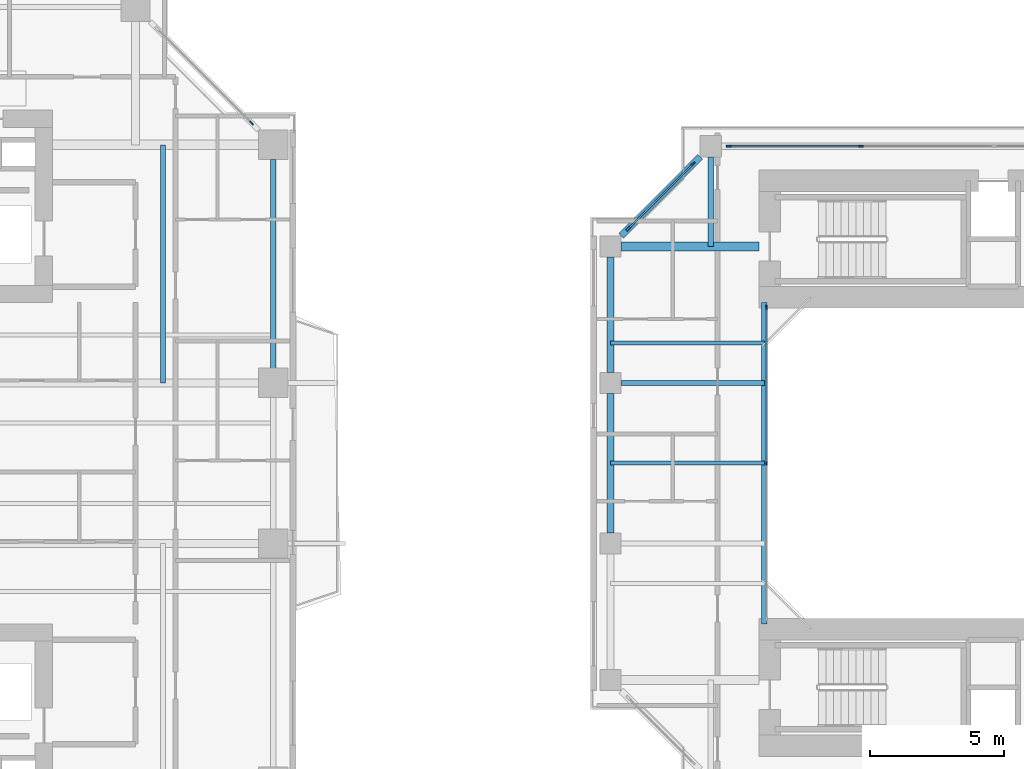
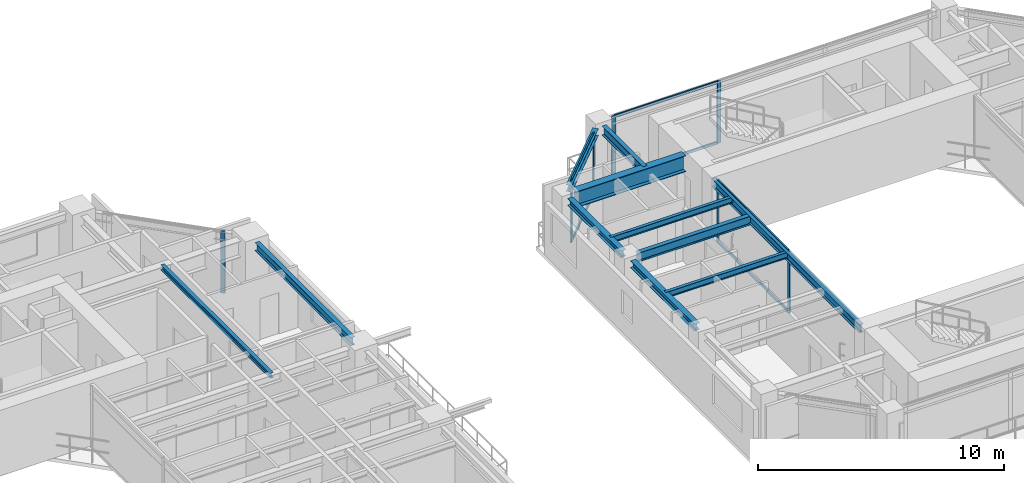
# One storey, part 8 of 23: 13 members, 11 beams, 4 elements without a shape of their own.
"""IFC4 building model written with IfcOpenShell, lengths in metres."""

from ifc_helpers import new_model, si_unit, direction, frame, origin, origin_2d, place, context, subcontext, project, spatial, rectangle, i_section, extrude, source, transform, mapped, material, layer, layer_set, material_profile, profile_set, type_object, element, aggregate, save


model = new_model("IFC4")

# Units and contexts
model_context = context("Model", 3, precision=1e-05, world=origin(), true_north=direction((0.0, 1.0)))
body_context = subcontext(model_context, "Body", "Model", "MODEL_VIEW")
ifc_project = project(units=[si_unit("LENGTHUNIT", "METRE"), si_unit("AREAUNIT", "SQUARE_METRE"), si_unit("VOLUMEUNIT", "CUBIC_METRE"), si_unit("PLANEANGLEUNIT", "RADIAN"), si_unit("MASSUNIT", "GRAM", prefix="KILO"), si_unit("THERMODYNAMICTEMPERATUREUNIT", "KELVIN"), si_unit("POWERUNIT", "WATT")], contexts=[model_context])

# Site, building, storey
site_placement = place(None, origin())
site = spatial("IfcSite", under=ifc_project, at=site_placement, CompositionType="ELEMENT")
building_placement = place(site_placement, origin())
building = spatial("IfcBuilding", under=site, at=building_placement, Name="Qiaomeng Ring Towers", CompositionType="ELEMENT")
storey_placement = place(building_placement, frame((0.0, 0.0, 100.25)))
storey = spatial("IfcBuildingStorey", under=building, at=storey_placement, Name="L28", CompositionType="ELEMENT", Elevation=100.25)

# Beams
ifc_material_1 = material(Name="Steel Q355B", Category="steel")
ifc_material_profile_1 = material_profile(ifc_material_1, i_section(OverallWidth=0.199951171875, OverallDepth=0.39990234375, WebThickness=0.008056640625, FlangeThickness=0.012939453125, FilletRadius=0.01611328125, at=origin_2d()), Name="HN 400x200x8x13")
ifc_profile_set_1 = profile_set([ifc_material_profile_1], Name="Steel Q355B")
beam_type_1 = type_object("IfcBeamType", Name="STR-BM-HN400", PredefinedType="SPANDREL", material=ifc_profile_set_1)
shared_shape_1 = source(origin(), body_context, "Body", "SweptSolid", [
    extrude(i_section(OverallWidth=0.199951171875, OverallDepth=0.39990234375, WebThickness=0.008056640625, FlangeThickness=0.012939453125, FilletRadius=0.01611328125, at=origin_2d()), origin(), (0.0, 0.0, 1.0), 12.0),
])
beam_1_placement = place(storey_placement, frame((54.39990234375, 17.0, 2.8701171875), z_axis=(0.0, 1.0, 0.0), x_axis=(-1.0, 0.0, 0.0)))
element("IfcBeam", 1, at=beam_1_placement, inside=storey, type_object=beam_type_1, Name="L28 beam STR-BM-L28-T2-WELL-W", PredefinedType="SPANDREL", context=body_context, shape_type="MappedRepresentation", body=[
    mapped(shared_shape_1, transform((0.0, 0.0, 0.0), x_axis=(1.0, 0.0, 0.0), y_axis=(0.0, 1.0, 0.0), z_axis=(0.0, 0.0, 1.0), scale=1.0)),
])
ifc_material_profile_2 = material_profile(ifc_material_1, i_section(OverallWidth=0.25, OverallDepth=0.340087890625, WebThickness=0.009033203125, FlangeThickness=0.013916015625, FilletRadius=0.02001953125, at=origin_2d()), Name="HM 340x250x9x14")
ifc_profile_set_2 = profile_set([ifc_material_profile_2], Name="Steel Q355B")
beam_type_2 = type_object("IfcBeamType", Name="STR-BM-HM340", PredefinedType="SPANDREL", material=ifc_profile_set_2)
shared_shape_2 = source(origin(), body_context, "Body", "SweptSolid", [
    extrude(i_section(OverallWidth=0.25, OverallDepth=0.340087890625, WebThickness=0.009033203125, FlangeThickness=0.013916015625, FilletRadius=0.02001953125, at=origin_2d()), origin(), (0.0, 0.0, 1.0), 4.173828125),
])
beam_2_placement = place(storey_placement, frame((52.000732421875, 34.45068359375, 2.89990234375), z_axis=(-0.707106781187, -0.707106781187, 0.0), x_axis=(0.707106781187, -0.707106781187, 0.0)))
element("IfcBeam", 2, at=beam_2_placement, inside=storey, type_object=beam_type_2, Name="L28 beam STR-SP-L28-T2-N1-W4", PredefinedType="SPANDREL", context=body_context, shape_type="MappedRepresentation", body=[
    mapped(shared_shape_2, transform((0.0, 0.0, 0.0), x_axis=(1.0, 0.0, 0.0), y_axis=(0.0, 1.0, 0.0), z_axis=(0.0, 0.0, 1.0), scale=1.0)),
])
shared_shape_3 = source(origin(), body_context, "Body", "SweptSolid", [
    extrude(i_section(OverallWidth=0.25, OverallDepth=0.340087890625, WebThickness=0.009033203125, FlangeThickness=0.013916015625, FilletRadius=0.02001953125, at=origin_2d()), origin(), (0.0, 0.0, 1.0), 4.302001953125),
])
beam_3_placement = place(storey_placement, frame((48.64990234375, 30.700927734375, 2.89990234375), z_axis=(0.0, -1.0, 0.0), x_axis=(1.0, 0.0, 0.0)))
element("IfcBeam", 3, at=beam_3_placement, inside=storey, type_object=beam_type_2, Name="L28 beam STR-SP-L28-T2-W4-W3", PredefinedType="SPANDREL", context=body_context, shape_type="MappedRepresentation", body=[
    mapped(shared_shape_3, transform((0.0, 0.0, 0.0), x_axis=(1.0, 0.0, 0.0), y_axis=(0.0, 1.0, 0.0), z_axis=(0.0, 0.0, 1.0), scale=1.0)),
])
shared_shape_4 = source(origin(), body_context, "Body", "SweptSolid", [
    extrude(i_section(OverallWidth=0.25, OverallDepth=0.340087890625, WebThickness=0.009033203125, FlangeThickness=0.013916015625, FilletRadius=0.02001953125, at=origin_2d()), origin(), (0.0, 0.0, 1.0), 5.2021484375),
])
beam_4_placement = place(storey_placement, frame((48.64990234375, 25.60107421875, 2.89990234375), z_axis=(0.0, -1.0, 0.0), x_axis=(1.0, 0.0, 0.0)))
element("IfcBeam", 4, at=beam_4_placement, inside=storey, type_object=beam_type_2, Name="L28 beam STR-SP-L28-T2-W3-W2", PredefinedType="SPANDREL", context=body_context, shape_type="MappedRepresentation", body=[
    mapped(shared_shape_4, transform((0.0, 0.0, 0.0), x_axis=(1.0, 0.0, 0.0), y_axis=(0.0, 1.0, 0.0), z_axis=(0.0, 0.0, 1.0), scale=1.0)),
])
ifc_material_2 = material(Name="Steel Q390GJC", Category="steel")
ifc_material_profile_3 = material_profile(ifc_material_2, i_section(OverallWidth=0.35009765625, OverallDepth=0.800048828125, WebThickness=0.01611328125, FlangeThickness=0.028076171875, at=origin_2d()), Name="WH 800x350x16x28")
ifc_profile_set_3 = profile_set([ifc_material_profile_3], Name="Steel Q390GJC")
beam_type_3 = type_object("IfcBeamType", Name="STR-BM-WH800", PredefinedType="BEAM", material=ifc_profile_set_3)
shared_shape_5 = source(origin(), body_context, "Body", "SweptSolid", [
    extrude(i_section(OverallWidth=0.35009765625, OverallDepth=0.800048828125, WebThickness=0.01611328125, FlangeThickness=0.028076171875, at=origin_2d()), origin(), (0.0, 0.0, 1.0), 5.15087890625),
])
beam_5_placement = place(storey_placement, frame((49.049072265625, 31.10009765625, 2.669921875), z_axis=(1.0, 0.0, 0.0), x_axis=(0.0, 1.0, 0.0)))
element("IfcBeam", 5, at=beam_5_placement, inside=storey, type_object=beam_type_3, Name="L28 beam STR-BM-L28-T2-RAD-W4", PredefinedType="BEAM", context=body_context, shape_type="MappedRepresentation", body=[
    mapped(shared_shape_5, transform((0.0, 0.0, 0.0), x_axis=(1.0, 0.0, 0.0), y_axis=(0.0, 1.0, 0.0), z_axis=(0.0, 0.0, 1.0), scale=1.0)),
])
ifc_material_profile_4 = material_profile(ifc_material_1, i_section(OverallWidth=0.199951171875, OverallDepth=0.449951171875, WebThickness=0.009033203125, FlangeThickness=0.013916015625, FilletRadius=0.01806640625, at=origin_2d()), Name="HN 450x200x9x14")
ifc_profile_set_4 = profile_set([ifc_material_profile_4], Name="Steel Q355B")
beam_type_4 = type_object("IfcBeamType", Name="STR-BM-HN450", PredefinedType="SPANDREL", material=ifc_profile_set_4)
shared_shape_6 = source(origin(), body_context, "Body", "SweptSolid", [
    extrude(i_section(OverallWidth=0.199951171875, OverallDepth=0.449951171875, WebThickness=0.009033203125, FlangeThickness=0.013916015625, FilletRadius=0.01806640625, at=origin_2d()), origin(), (0.0, 0.0, 1.0), 5.350830078125),
])
beam_6_placement = place(storey_placement, frame((49.049072265625, 26.0, 2.844970703125), z_axis=(1.0, 0.0, 0.0), x_axis=(0.0, 1.0, 0.0)))
element("IfcBeam", 6, at=beam_6_placement, inside=storey, type_object=beam_type_4, Name="L28 beam STR-BM-L28-T2-RAD-W3", PredefinedType="SPANDREL", context=body_context, shape_type="MappedRepresentation", body=[
    mapped(shared_shape_6, transform((0.0, 0.0, 0.0), x_axis=(1.0, 0.0, 0.0), y_axis=(0.0, 1.0, 0.0), z_axis=(0.0, 0.0, 1.0), scale=1.0)),
])
shared_shape_7 = source(origin(), body_context, "Body", "SweptSolid", [
    extrude(i_section(OverallWidth=0.199951171875, OverallDepth=0.449951171875, WebThickness=0.009033203125, FlangeThickness=0.013916015625, FilletRadius=0.01806640625, at=origin_2d()), origin(), (0.0, 0.0, 1.0), 3.350830078125),
])
beam_7_placement = place(storey_placement, frame((52.39990234375, 34.450927734375, 2.844970703125), z_axis=(0.0, -1.0, 0.0), x_axis=(1.0, 0.0, 0.0)))
element("IfcBeam", 7, at=beam_7_placement, inside=storey, type_object=beam_type_4, Name="L28 beam STR-BM-L28-T2-RAD-N1", PredefinedType="SPANDREL", context=body_context, shape_type="MappedRepresentation", body=[
    mapped(shared_shape_7, transform((0.0, 0.0, 0.0), x_axis=(1.0, 0.0, 0.0), y_axis=(0.0, 1.0, 0.0), z_axis=(0.0, 0.0, 1.0), scale=1.0)),
])
ifc_material_profile_5 = material_profile(ifc_material_1, i_section(OverallWidth=0.14990234375, OverallDepth=0.300048828125, WebThickness=0.006591796875, FlangeThickness=0.009033203125, FilletRadius=0.012939453125, at=origin_2d()), Name="HN 300x150x6.5x9")
ifc_profile_set_5 = profile_set([ifc_material_profile_5], Name="Steel Q355B")
beam_type_5 = type_object("IfcBeamType", Name="STR-BM-HN300", PredefinedType="JOIST", material=ifc_profile_set_5)
shared_shape_8 = source(origin(), body_context, "Body", "SweptSolid", [
    extrude(i_section(OverallWidth=0.14990234375, OverallDepth=0.300048828125, WebThickness=0.006591796875, FlangeThickness=0.009033203125, FilletRadius=0.012939453125, at=origin_2d()), origin(), (0.0, 0.0, 1.0), 5.75),
])
for number, where, z_axis, x_axis, name in (
    (8, (48.64990234375, 23.0, 2.919921875), (1.0, 0.0, 0.0), (0.0, 1.0, 0.0), "L28 beam STR-JST-L28-T2W-2"),
    (9, (48.64990234375, 27.5, 2.919921875), (1.0, 0.0, 0.0), (0.0, 1.0, 0.0), "L28 beam STR-JST-L28-T2W-3"),
):
    element("IfcBeam", number, at=place(storey_placement, frame(where, z_axis=z_axis, x_axis=x_axis)), inside=storey, type_object=beam_type_5, Name=name, PredefinedType="JOIST", context=body_context, shape_type="MappedRepresentation", body=[
        mapped(shared_shape_8, transform((0.0, 0.0, 0.0), x_axis=(1.0, 0.0, 0.0), y_axis=(0.0, 1.0, 0.0), z_axis=(0.0, 0.0, 1.0), scale=1.0)),
    ])
shared_shape_9 = source(origin(), body_context, "Body", "SweptSolid", [
    extrude(i_section(OverallWidth=0.199951171875, OverallDepth=0.39990234375, WebThickness=0.008056640625, FlangeThickness=0.012939453125, FilletRadius=0.01611328125, at=origin_2d()), origin(), (0.0, 0.0, 1.0), 7.802001953125),
])
beam_8_placement = place(storey_placement, frame((36.050048828125, 26.549072265625, 2.8701171875), z_axis=(0.0, 1.0, 0.0), x_axis=(-1.0, 0.0, 0.0)))
element("IfcBeam", 10, at=beam_8_placement, inside=storey, type_object=beam_type_1, Name="L28 beam STR-SP-L28-T1-E3-E4", PredefinedType="SPANDREL", context=body_context, shape_type="MappedRepresentation", body=[
    mapped(shared_shape_9, transform((0.0, 0.0, 0.0), x_axis=(1.0, 0.0, 0.0), y_axis=(0.0, 1.0, 0.0), z_axis=(0.0, 0.0, 1.0), scale=1.0)),
])
ifc_material_profile_6 = material_profile(ifc_material_1, i_section(OverallWidth=0.175048828125, OverallDepth=0.243896484375, WebThickness=0.007080078125, FlangeThickness=0.010986328125, FilletRadius=0.01611328125, at=origin_2d()), Name="HM 244x175x7x11")
ifc_profile_set_6 = profile_set([ifc_material_profile_6], Name="Steel Q355B")
beam_type_6 = type_object("IfcBeamType", Name="STR-BM-HM244", PredefinedType="JOIST", material=ifc_profile_set_6)
shared_shape_10 = source(origin(), body_context, "Body", "SweptSolid", [
    extrude(i_section(OverallWidth=0.175048828125, OverallDepth=0.243896484375, WebThickness=0.007080078125, FlangeThickness=0.010986328125, FilletRadius=0.01611328125, at=origin_2d()), origin(), (0.0, 0.0, 1.0), 8.89990234375),
])
beam_9_placement = place(storey_placement, frame((31.925048828125, 26.0, 2.947998046875), z_axis=(0.0, 1.0, 0.0), x_axis=(-1.0, 0.0, 0.0)))
element("IfcBeam", 11, at=beam_9_placement, inside=storey, type_object=beam_type_6, Name="L28 beam STR-JST-L28-T1C-EN", PredefinedType="JOIST", context=body_context, shape_type="MappedRepresentation", body=[
    mapped(shared_shape_10, transform((0.0, 0.0, 0.0), x_axis=(1.0, 0.0, 0.0), y_axis=(0.0, 1.0, 0.0), z_axis=(0.0, 0.0, 1.0), scale=1.0)),
])

# Curtain wall, members
ifc_material_3 = material(Name="Fluorocarbon dark-grey aluminium", Category="aluminium")
ifc_layer_1 = layer(ifc_material_3, 0.139892578125, Name="Fluorocarbon dark-grey aluminium")
ifc_layer_set_1 = layer_set([ifc_layer_1], Name="Fluorocarbon dark-grey aluminium")
curtain_wall_type_1 = type_object("IfcCurtainWallType", Name="ARC-CW-4", PredefinedType="NOTDEFINED", material=ifc_layer_set_1)
curtain_wall_1_placement = place(storey_placement, origin())
curtain_wall_1 = element("IfcCurtainWall", 12, at=curtain_wall_1_placement, inside=storey, type_object=curtain_wall_type_1, Name="L28 Curtain Wall CW4", PredefinedType="NOTDEFINED")
ifc_material_profile_7 = material_profile(ifc_material_3, rectangle(XDim=0.06494140625, YDim=0.159912109375, at=origin_2d()), Name="ALU MULL 65x160")
ifc_profile_set_7 = profile_set([ifc_material_profile_7], Name="Fluorocarbon dark-grey aluminium")
member_type_1 = type_object("IfcMemberType", Name="ARC-CWM-140", PredefinedType="MULLION", material=ifc_profile_set_7)
shared_shape_11 = source(origin(), body_context, "Body", "SweptSolid", [
    extrude(rectangle(XDim=0.06494140625, YDim=0.159912109375, at=origin_2d()), origin(), (0.0, 0.0, 1.0), 3.070068359375),
])
member_1_placement = place(storey_placement, frame((54.47998046875, 23.0, 0.0), z_axis=(0.0, 0.0, 1.0), x_axis=(-1.0, 0.0, 0.0)))
member_1 = element("IfcMember", 13, at=member_1_placement, type_object=member_type_1, Name="CW4 mullion 2", PredefinedType="MULLION", context=body_context, shape_type="MappedRepresentation", body=[
    mapped(shared_shape_11, transform((0.0, 0.0, 0.0), x_axis=(1.0, 0.0, 0.0), y_axis=(0.0, 1.0, 0.0), z_axis=(0.0, 0.0, 1.0), scale=1.0)),
])
member_2_placement = place(storey_placement, frame((54.47998046875, 28.8173828125, 0.0), z_axis=(0.0, 0.0, 1.0), x_axis=(-1.0, 0.0, 0.0)))
member_2 = element("IfcMember", 14, at=member_2_placement, type_object=member_type_1, Name="CW4 mullion 3", PredefinedType="MULLION", context=body_context, shape_type="MappedRepresentation", body=[
    mapped(shared_shape_11, transform((0.0, 0.0, 0.0), x_axis=(1.0, 0.0, 0.0), y_axis=(0.0, 1.0, 0.0), z_axis=(0.0, 0.0, 1.0), scale=1.0)),
])
ifc_material_profile_8 = material_profile(ifc_material_3, rectangle(XDim=0.06494140625, YDim=0.1298828125, at=origin_2d()), Name="ALU TRAN 65x130")
ifc_profile_set_8 = profile_set([ifc_material_profile_8], Name="Fluorocarbon dark-grey aluminium")
member_type_2 = type_object("IfcMemberType", Name="ARC-CWT-120", PredefinedType="USERDEFINED", material=ifc_profile_set_8)
shared_shape_12 = source(origin(), body_context, "Body", "SweptSolid", [
    extrude(rectangle(XDim=0.06494140625, YDim=0.1298828125, at=origin_2d()), origin(), (0.0, 0.0, 1.0), 5.75244140625),
])
member_3_placement = place(storey_placement, frame((54.47998046875, 23.032470703125, 0.032470703125), z_axis=(0.0, 1.0, 0.0), x_axis=(-1.0, 0.0, 0.0)))
member_3 = element("IfcMember", 15, at=member_3_placement, type_object=member_type_2, Name="CW4 transom 2.1", ObjectType="TRANSOM", PredefinedType="USERDEFINED", context=body_context, shape_type="MappedRepresentation", body=[
    mapped(shared_shape_12, transform((0.0, 0.0, 0.0), x_axis=(1.0, 0.0, 0.0), y_axis=(0.0, 1.0, 0.0), z_axis=(0.0, 0.0, 1.0), scale=1.0)),
])
member_4_placement = place(storey_placement, frame((54.47998046875, 23.032470703125, 3.03759765625), z_axis=(0.0, 1.0, 0.0), x_axis=(-1.0, 0.0, 0.0)))
member_4 = element("IfcMember", 16, at=member_4_placement, type_object=member_type_2, Name="CW4 transom 2.2", ObjectType="TRANSOM", PredefinedType="USERDEFINED", context=body_context, shape_type="MappedRepresentation", body=[
    mapped(shared_shape_12, transform((0.0, 0.0, 0.0), x_axis=(1.0, 0.0, 0.0), y_axis=(0.0, 1.0, 0.0), z_axis=(0.0, 0.0, 1.0), scale=1.0)),
])
aggregate(curtain_wall_1, [member_1, member_2, member_3, member_4])

# Curtain wall, member
ifc_layer_2 = layer(ifc_material_3, 0.14990234375, Name="Fluorocarbon dark-grey aluminium")
ifc_layer_set_2 = layer_set([ifc_layer_2], Name="Fluorocarbon dark-grey aluminium")
curtain_wall_type_2 = type_object("IfcCurtainWallType", Name="ARC-CW-3", PredefinedType="NOTDEFINED", material=ifc_layer_set_2)
curtain_wall_2_placement = place(storey_placement, origin())
curtain_wall_2 = element("IfcCurtainWall", 17, at=curtain_wall_2_placement, inside=storey, type_object=curtain_wall_type_2, Name="L28 Curtain Wall CW3", PredefinedType="NOTDEFINED")
ifc_material_profile_9 = material_profile(ifc_material_3, rectangle(XDim=0.070068359375, YDim=0.179931640625, at=origin_2d()), Name="ALU MULL 70x180")
ifc_profile_set_9 = profile_set([ifc_material_profile_9], Name="Fluorocarbon dark-grey aluminium")
member_type_3 = type_object("IfcMemberType", Name="ARC-CWM-160", PredefinedType="MULLION", material=ifc_profile_set_9)
shared_shape_13 = source(origin(), body_context, "Body", "SweptSolid", [
    extrude(rectangle(XDim=0.070068359375, YDim=0.179931640625, at=origin_2d()), origin(), (0.0, 0.0, 1.0), 3.070068359375),
])
member_5_placement = place(storey_placement, frame((35.2353515625, 35.71484375, 0.0), z_axis=(0.0, 0.0, 1.0), x_axis=(-0.707106781187, -0.707106781187, 0.0)))
member_5 = element("IfcMember", 18, at=member_5_placement, type_object=member_type_3, Name="CW3 mullion 1", PredefinedType="MULLION", context=body_context, shape_type="MappedRepresentation", body=[
    mapped(shared_shape_13, transform((0.0, 0.0, 0.0), x_axis=(1.0, 0.0, 0.0), y_axis=(0.0, 1.0, 0.0), z_axis=(0.0, 0.0, 1.0), scale=1.0)),
])
aggregate(curtain_wall_2, [member_5])

# Curtain wall, members
ifc_layer_3 = layer(ifc_material_3, 0.14990234375, Name="Fluorocarbon dark-grey aluminium")
ifc_layer_set_3 = layer_set([ifc_layer_3], Name="Fluorocarbon dark-grey aluminium")
curtain_wall_type_3 = type_object("IfcCurtainWallType", Name="ARC-CW-5", PredefinedType="NOTDEFINED", material=ifc_layer_set_3)
curtain_wall_3_placement = place(storey_placement, origin())
curtain_wall_3 = element("IfcCurtainWall", 19, at=curtain_wall_3_placement, inside=storey, type_object=curtain_wall_type_3, Name="L28 Curtain Wall CW5", PredefinedType="NOTDEFINED")
member_6_placement = place(storey_placement, frame((53.074951171875, 34.85009765625, 0.0), z_axis=(0.0, 0.0, 1.0), x_axis=(0.0, 1.0, 0.0)))
member_6 = element("IfcMember", 20, at=member_6_placement, type_object=member_type_3, Name="CW5 mullion 1", PredefinedType="MULLION", context=body_context, shape_type="MappedRepresentation", body=[
    mapped(shared_shape_13, transform((0.0, 0.0, 0.0), x_axis=(1.0, 0.0, 0.0), y_axis=(0.0, 1.0, 0.0), z_axis=(0.0, 0.0, 1.0), scale=1.0)),
])
member_7_placement = place(storey_placement, frame((58.013427734375, 34.85009765625, 0.0), z_axis=(0.0, 0.0, 1.0), x_axis=(0.0, 1.0, 0.0)))
member_7 = element("IfcMember", 21, at=member_7_placement, type_object=member_type_3, Name="CW5 mullion 2", PredefinedType="MULLION", context=body_context, shape_type="MappedRepresentation", body=[
    mapped(shared_shape_13, transform((0.0, 0.0, 0.0), x_axis=(1.0, 0.0, 0.0), y_axis=(0.0, 1.0, 0.0), z_axis=(0.0, 0.0, 1.0), scale=1.0)),
])

curtain_wall_4_placement = place(storey_placement, origin())
curtain_wall_4 = element("IfcCurtainWall", 22, at=curtain_wall_4_placement, inside=storey, type_object=curtain_wall_type_3, Name="L28 Curtain Wall CW5", PredefinedType="NOTDEFINED")
member_8_placement = place(storey_placement, frame((51.7353515625, 34.185302734375, 0.0), z_axis=(0.0, 0.0, 1.0), x_axis=(0.707106781187, -0.707106781187, 0.0)))
member_8 = element("IfcMember", 23, at=member_8_placement, type_object=member_type_3, Name="CW5 mullion 1", PredefinedType="MULLION", context=body_context, shape_type="MappedRepresentation", body=[
    mapped(shared_shape_13, transform((0.0, 0.0, 0.0), x_axis=(1.0, 0.0, 0.0), y_axis=(0.0, 1.0, 0.0), z_axis=(0.0, 0.0, 1.0), scale=1.0)),
])
member_9_placement = place(storey_placement, frame((49.314697265625, 31.7646484375, 0.0), z_axis=(0.0, 0.0, 1.0), x_axis=(0.707106781187, -0.707106781187, 0.0)))
member_9 = element("IfcMember", 24, at=member_9_placement, type_object=member_type_3, Name="CW5 mullion 2", PredefinedType="MULLION", context=body_context, shape_type="MappedRepresentation", body=[
    mapped(shared_shape_13, transform((0.0, 0.0, 0.0), x_axis=(1.0, 0.0, 0.0), y_axis=(0.0, 1.0, 0.0), z_axis=(0.0, 0.0, 1.0), scale=1.0)),
])

# Member
shared_shape_14 = source(origin(), body_context, "Body", "SweptSolid", [
    extrude(rectangle(XDim=0.06494140625, YDim=0.1298828125, at=origin_2d()), origin(), (0.0, 0.0, 1.0), 4.8681640625),
])
member_10_placement = place(storey_placement, frame((53.110107421875, 34.85009765625, 0.032470703125), z_axis=(1.0, 0.0, 0.0), x_axis=(0.0, 1.0, 0.0)))
member_10 = element("IfcMember", 25, at=member_10_placement, type_object=member_type_2, Name="CW5 transom 1.1", ObjectType="TRANSOM", PredefinedType="USERDEFINED", context=body_context, shape_type="MappedRepresentation", body=[
    mapped(shared_shape_14, transform((0.0, 0.0, 0.0), x_axis=(1.0, 0.0, 0.0), y_axis=(0.0, 1.0, 0.0), z_axis=(0.0, 0.0, 1.0), scale=1.0)),
])

member_11_placement = place(storey_placement, frame((53.110107421875, 34.85009765625, 3.03759765625), z_axis=(1.0, 0.0, 0.0), x_axis=(0.0, 1.0, 0.0)))
member_11 = element("IfcMember", 26, at=member_11_placement, type_object=member_type_2, Name="CW5 transom 1.2", ObjectType="TRANSOM", PredefinedType="USERDEFINED", context=body_context, shape_type="MappedRepresentation", body=[
    mapped(shared_shape_14, transform((0.0, 0.0, 0.0), x_axis=(1.0, 0.0, 0.0), y_axis=(0.0, 1.0, 0.0), z_axis=(0.0, 0.0, 1.0), scale=1.0)),
])

aggregate(curtain_wall_3, [member_6, member_7, member_10, member_11])

shared_shape_15 = source(origin(), body_context, "Body", "SweptSolid", [
    extrude(rectangle(XDim=0.06494140625, YDim=0.1298828125, at=origin_2d()), origin(), (0.0, 0.0, 1.0), 3.352783203125),
])
member_12_placement = place(storey_placement, frame((51.71044921875, 34.160400390625, 0.032470703125), z_axis=(-0.707106781187, -0.707106781187, 0.0), x_axis=(0.707106781187, -0.707106781187, 0.0)))
member_12 = element("IfcMember", 27, at=member_12_placement, type_object=member_type_2, Name="CW5 transom 1.1", ObjectType="TRANSOM", PredefinedType="USERDEFINED", context=body_context, shape_type="MappedRepresentation", body=[
    mapped(shared_shape_15, transform((0.0, 0.0, 0.0), x_axis=(1.0, 0.0, 0.0), y_axis=(0.0, 1.0, 0.0), z_axis=(0.0, 0.0, 1.0), scale=1.0)),
])

member_13_placement = place(storey_placement, frame((51.71044921875, 34.160400390625, 3.03759765625), z_axis=(-0.707106781187, -0.707106781187, 0.0), x_axis=(0.707106781187, -0.707106781187, 0.0)))
member_13 = element("IfcMember", 28, at=member_13_placement, type_object=member_type_2, Name="CW5 transom 1.2", ObjectType="TRANSOM", PredefinedType="USERDEFINED", context=body_context, shape_type="MappedRepresentation", body=[
    mapped(shared_shape_15, transform((0.0, 0.0, 0.0), x_axis=(1.0, 0.0, 0.0), y_axis=(0.0, 1.0, 0.0), z_axis=(0.0, 0.0, 1.0), scale=1.0)),
])

aggregate(curtain_wall_4, [member_8, member_9, member_12, member_13])

save(model, "model.ifc")
